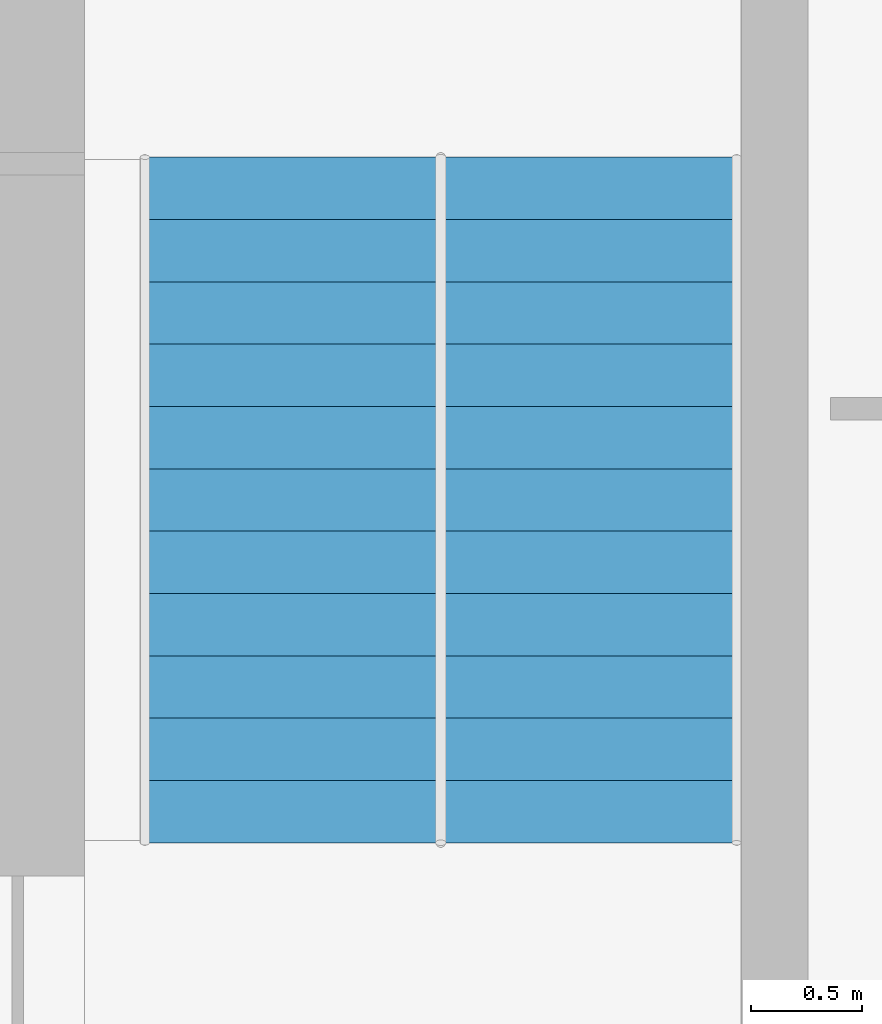
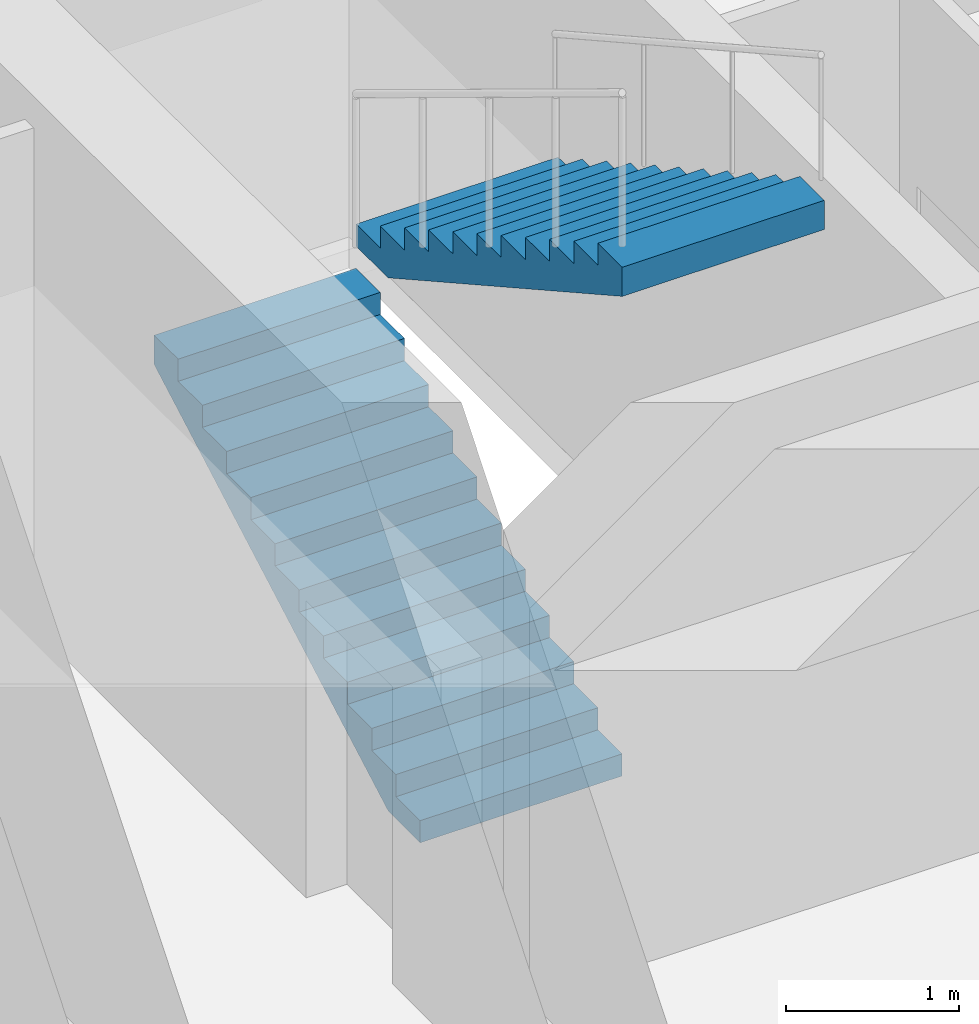
# One storey, part 9 of 10: 2 stair flights, 1 element without a shape of its own.
"""IFC4 building model written with IfcOpenShell, lengths in metres."""

from ifc_helpers import new_model, si_unit, direction, frame, origin, place, context, subcontext, project, spatial, polyline, outline, extrude, material, type_object, element, aggregate, save


model = new_model("IFC4")

# Units and contexts
model_context = context("Model", 3, precision=1e-05, world=origin(), true_north=direction((0.0, 1.0)))
body_context = subcontext(model_context, "Body", "Model", "MODEL_VIEW")
ifc_project = project(units=[si_unit("LENGTHUNIT", "METRE"), si_unit("AREAUNIT", "SQUARE_METRE"), si_unit("VOLUMEUNIT", "CUBIC_METRE"), si_unit("PLANEANGLEUNIT", "RADIAN"), si_unit("MASSUNIT", "GRAM", prefix="KILO")], contexts=[model_context])

# Site, building, storey
site_placement = place(None, origin())
site = spatial("IfcSite", under=ifc_project, at=site_placement, CompositionType="ELEMENT")
building_placement = place(site_placement, origin())
building = spatial("IfcBuilding", under=site, at=building_placement, Name="Impinga Residences", CompositionType="ELEMENT")
storey_placement = place(building_placement, frame((0.0, 0.0, 256.0)))
storey = spatial("IfcBuildingStorey", under=building, at=storey_placement, Name="L64", CompositionType="ELEMENT", Elevation=256.0)

# Stair, stair flights
ifc_material = material(Name="Concrete C40/50", Category="concrete")
stair_type = type_object("IfcStairType", Name="STR wing stair 3750 storey, 24 risers", PredefinedType="HALF_TURN_STAIR", material=ifc_material)
stair_placement = place(storey_placement, origin())
stair = element("IfcStair", 1, at=stair_placement, inside=storey, type_object=stair_type, Name="Stair WS1 L64", PredefinedType="HALF_TURN_STAIR")
stair_flight_type = type_object("IfcStairFlightType", Name="SF 12 risers of 156", PredefinedType="STRAIGHT", material=ifc_material)
stair_flight_1_placement = place(storey_placement, frame((2.425048828125, 22.131591796875, 0.0), z_axis=(0.0, 0.0, 1.0), x_axis=(0.0, 1.0, 0.0)))
stair_flight_1 = element("IfcStairFlight", 2, at=stair_flight_1_placement, type_object=stair_flight_type, Name="WS1 flight 1", NumberOfRisers=12, NumberOfTreads=11, PredefinedType="STRAIGHT", RiserHeight=0.15625, TreadLength=0.28, context=body_context, shape_type="SweptSolid", body=[
    extrude(outline(polyline([(0.0, 0.0), (0.0, 0.15625), (0.280029296875, 0.15625), (0.280029296875, 0.3125), (0.56005859375, 0.3125), (0.56005859375, 0.46875), (0.840087890625, 0.46875), (0.840087890625, 0.625), (1.1201171875, 0.625), (1.1201171875, 0.78125), (1.39990234375, 0.78125), (1.39990234375, 0.9375), (1.679931640625, 0.9375), (1.679931640625, 1.09375), (1.9599609375, 1.09375), (1.9599609375, 1.25), (2.239990234375, 1.25), (2.239990234375, 1.40625), (2.52001953125, 1.40625), (2.52001953125, 1.5625), (2.800048828125, 1.5625), (2.800048828125, 1.71875), (3.080078125, 1.71875), (3.080078125, 1.875), (3.080078125, 1.5126953125), (0.369140625, 0.0), (0.0, 0.0)])), frame((0.0, 0.675048828125, 0.0), z_axis=(0.0, -1.0, 0.0), x_axis=(1.0, 0.0, 0.0)), (0.0, 0.0, 1.0), 1.35009765625),
])
stair_flight_2_placement = place(storey_placement, frame((3.77490234375, 25.21142578125, 1.875), z_axis=(0.0, 0.0, 1.0), x_axis=(0.0, -1.0, 0.0)))
stair_flight_2 = element("IfcStairFlight", 3, at=stair_flight_2_placement, type_object=stair_flight_type, Name="WS1 flight 2", NumberOfRisers=12, NumberOfTreads=11, PredefinedType="STRAIGHT", RiserHeight=0.15625, TreadLength=0.28, context=body_context, shape_type="SweptSolid", body=[
    extrude(outline(polyline([(0.0, 0.0), (0.0, 0.15625), (0.280029296875, 0.15625), (0.280029296875, 0.3125), (0.56005859375, 0.3125), (0.56005859375, 0.46875), (0.840087890625, 0.46875), (0.840087890625, 0.625), (1.1201171875, 0.625), (1.1201171875, 0.78125), (1.39990234375, 0.78125), (1.39990234375, 0.9375), (1.679931640625, 0.9375), (1.679931640625, 1.09375), (1.9599609375, 1.09375), (1.9599609375, 1.25), (2.239990234375, 1.25), (2.239990234375, 1.40625), (2.52001953125, 1.40625), (2.52001953125, 1.5625), (2.800048828125, 1.5625), (2.800048828125, 1.71875), (3.080078125, 1.71875), (3.080078125, 1.875), (3.080078125, 1.5126953125), (0.369140625, 0.0), (0.0, 0.0)])), frame((0.0, 0.675048828125, 0.0), z_axis=(0.0, -1.0, 0.0), x_axis=(1.0, 0.0, 0.0)), (0.0, 0.0, 1.0), 1.35009765625),
])
aggregate(stair, [stair_flight_1, stair_flight_2])

save(model, "model.ifc")
